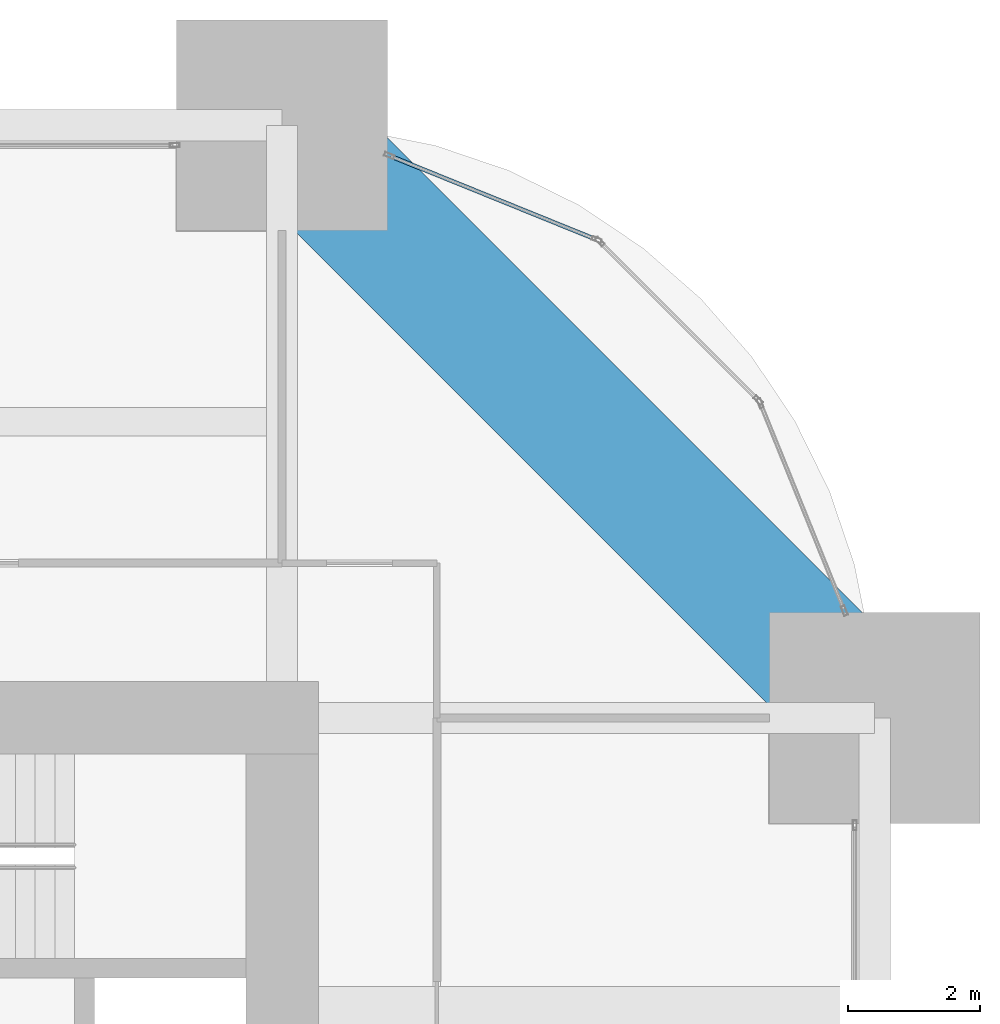
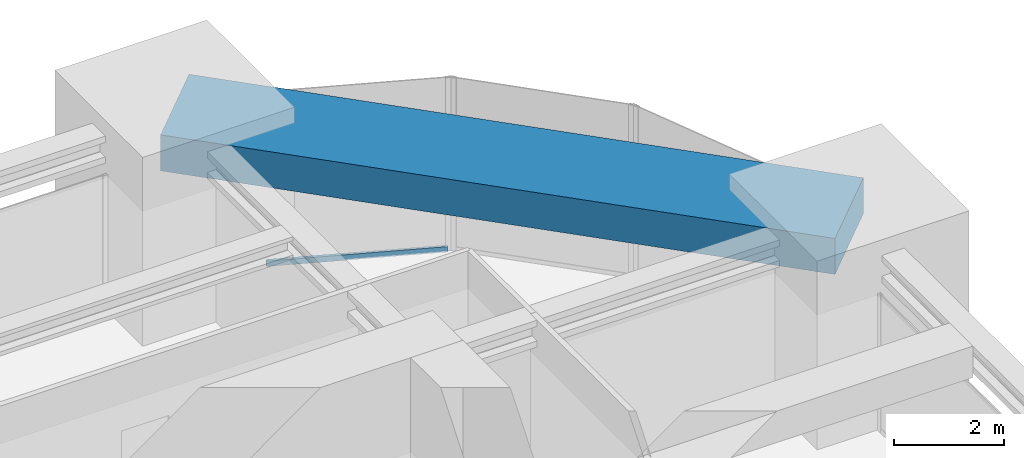
# One storey, part 33 of 39: 1 beam, 1 member, 1 element without a shape of its own.
"""IFC4 building model written with IfcOpenShell, lengths in metres."""

from ifc_helpers import new_model, si_unit, direction, frame, origin, origin_2d, place, context, subcontext, project, spatial, rectangle, hollow_rectangle, extrude, material, material_profile, profile_set, type_object, element, aggregate, save


model = new_model("IFC4")

# Units and contexts
model_context = context("Model", 3, precision=1e-05, world=origin(), true_north=direction((0.0, 1.0)))
body_context = subcontext(model_context, "Body", "Model", "MODEL_VIEW")
ifc_project = project(units=[si_unit("LENGTHUNIT", "METRE"), si_unit("AREAUNIT", "SQUARE_METRE"), si_unit("VOLUMEUNIT", "CUBIC_METRE"), si_unit("PLANEANGLEUNIT", "RADIAN"), si_unit("MASSUNIT", "GRAM", prefix="KILO")], contexts=[model_context])

# Site, building, storey
site_placement = place(None, origin())
site = spatial("IfcSite", under=ifc_project, at=site_placement, CompositionType="ELEMENT")
building_placement = place(site_placement, origin())
building = spatial("IfcBuilding", under=site, at=building_placement, Name="Zorevar Civic Tower", CompositionType="ELEMENT")
storey_placement = place(building_placement, frame((0.0, 0.0, 230.199951171875)))
storey = spatial("IfcBuildingStorey", under=building, at=storey_placement, Name="L56", CompositionType="ELEMENT", Elevation=230.199951171875)

# Curtain wall, member
ifc_material_1 = material(Name="Dark grey solar-control glass in black aluminium frame", Category="aluminium")
curtain_wall_type = type_object("IfcCurtainWallType", Name="Curtain wall CW4 high zone", PredefinedType="NOTDEFINED", material=ifc_material_1)
curtain_wall_placement = place(storey_placement, origin())
curtain_wall = element("IfcCurtainWall", 1, at=curtain_wall_placement, inside=storey, type_object=curtain_wall_type, Name="CW4 L56", PredefinedType="NOTDEFINED")
ifc_material_2 = material(Name="Aluminium, black anodised", Category="aluminium")
ifc_material_profile_1 = material_profile(ifc_material_2, hollow_rectangle(XDim=0.06005859375, YDim=0.1201171875, WallThickness=0.0029296875, at=origin_2d()), Name="AL 120x60x3")
ifc_profile_set_1 = profile_set([ifc_material_profile_1], Name="Aluminium, black anodised")
member_type = type_object("IfcMemberType", Name="CW4 transom AL 120x60x3", PredefinedType="USERDEFINED", material=ifc_profile_set_1)
member_placement = place(storey_placement, frame((49.750244140625, 43.274658203125, 0.030029296875), z_axis=(-0.92676265847, 0.375647407638, 0.0), x_axis=(-0.375647407638, -0.92676265847, 0.0)))
member = element("IfcMember", 2, at=member_placement, type_object=member_type, Name="CW4 sill transom", ObjectType="TRANSOM", PredefinedType="USERDEFINED", context=body_context, shape_type="SweptSolid", body=[
    extrude(hollow_rectangle(XDim=0.06005859375, YDim=0.1201171875, WallThickness=0.0029296875, at=origin_2d()), origin(), (0.0, 0.0, 1.0), 3.33935546875),
])
aggregate(curtain_wall, [member])

# Beam
ifc_material_3 = material(Name="Concrete C50/60", Category="concrete")
ifc_material_profile_2 = material_profile(ifc_material_3, rectangle(XDim=2.0, YDim=0.800048828125, at=origin_2d()), Name="RC 2000x800")
ifc_profile_set_2 = profile_set([ifc_material_profile_2], Name="Concrete C50/60")
beam_type = type_object("IfcBeamType", Name="Edge beam RC 2000x800", PredefinedType="SPANDREL", material=ifc_profile_set_2)
beam_placement = place(storey_placement, frame((54.0, 36.0, 3.449951171875), z_axis=(-0.707106781187, 0.707106781187, 0.0), x_axis=(-0.707106781187, -0.707106781187, 0.0)))
element("IfcBeam", 3, at=beam_placement, inside=storey, type_object=beam_type, Name="Corner edge beam L57", PredefinedType="SPANDREL", context=body_context, shape_type="SweptSolid", body=[
    extrude(rectangle(XDim=2.0, YDim=0.800048828125, at=origin_2d()), origin(), (0.0, 0.0, 1.0), 12.72802734375),
])

save(model, "model.ifc")
